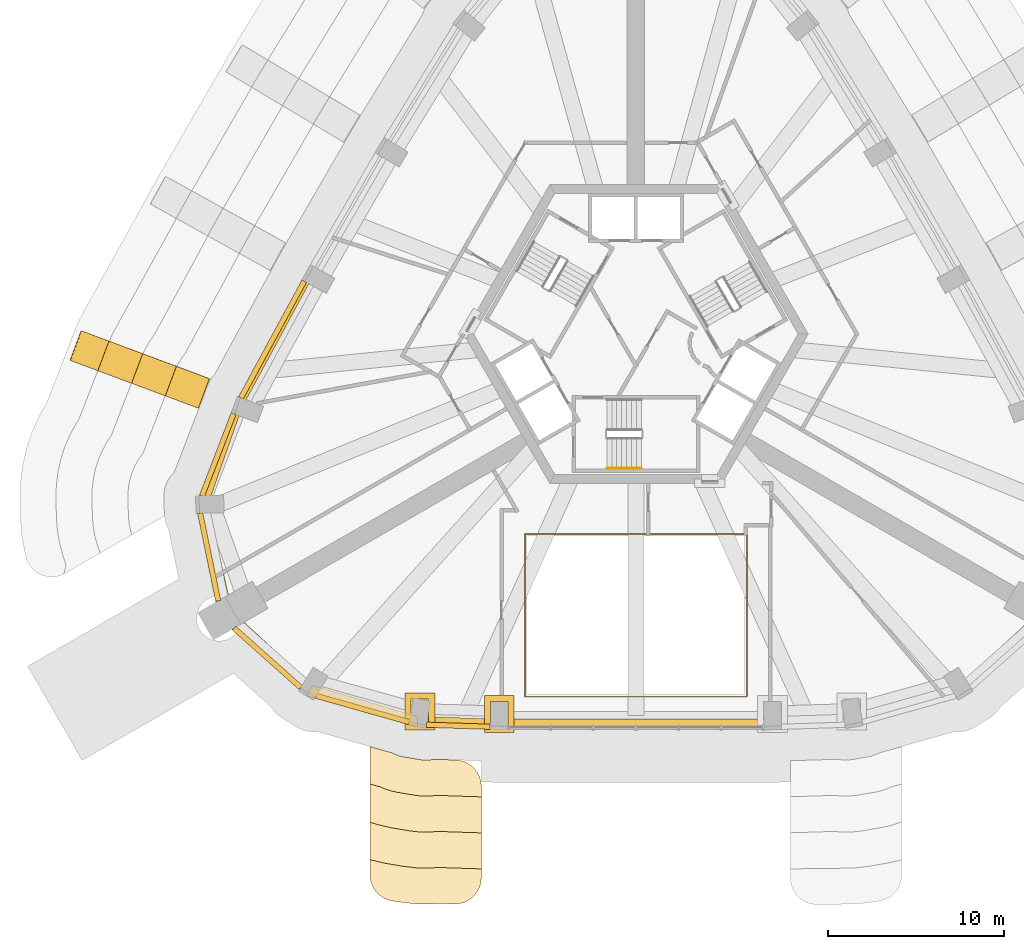
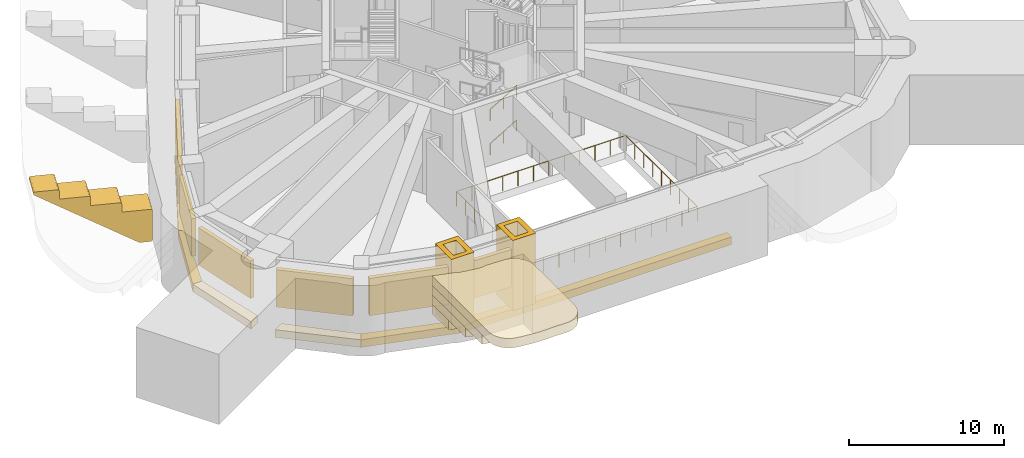
# One storey, part 10 of 15: 14 coverings, 6 shading devices, 3 railings.
"""IFC4 building model written with IfcOpenShell, lengths in metres."""

from ifc_helpers import new_model, si_unit, direction, frame, origin, origin_2d, place, context, subcontext, project, spatial, polyline, rectangle, circle, outline, extrude, material, layer, layer_set, type_object, element, save


model = new_model("IFC4")

# Units and contexts
model_context = context("Model", 3, precision=1e-05, world=origin(), true_north=direction((0.0, 1.0)))
body_context = subcontext(model_context, "Body", "Model", "MODEL_VIEW")
ifc_project = project(units=[si_unit("LENGTHUNIT", "METRE"), si_unit("AREAUNIT", "SQUARE_METRE"), si_unit("VOLUMEUNIT", "CUBIC_METRE"), si_unit("PLANEANGLEUNIT", "RADIAN"), si_unit("MASSUNIT", "GRAM", prefix="KILO")], contexts=[model_context])

# Site, building, storey
site_placement = place(None, origin())
site = spatial("IfcSite", under=ifc_project, at=site_placement, CompositionType="ELEMENT")
building_placement = place(site_placement, origin())
building = spatial("IfcBuilding", under=site, at=building_placement, Name="Entoto Arch Interchange Tower", CompositionType="ELEMENT")
storey_placement = place(building_placement, frame((0.0, 0.0, 326.0)))
storey = spatial("IfcBuildingStorey", under=building, at=storey_placement, Name="L77", CompositionType="ELEMENT", Elevation=326.0)

# Railing
ifc_material_1 = material(Name="Stainless steel 1.4301", Category="steel")
railing_type_1 = type_object("IfcRailingType", Name="ATRIUM GUARD 1200 STEEL AND GLASS", PredefinedType="GUARDRAIL", material=ifc_material_1)
railing_placement = place(storey_placement, frame((6.320068359375, -18.154052734375, 0.0)))
element("IfcRailing", 1, at=railing_placement, inside=storey, type_object=railing_type_1, Name="Atrium guard L77", PredefinedType="GUARDRAIL", context=body_context, shape_type="SweptSolid", body=[
    extrude(circle(Radius=0.02392578125, at=origin_2d()), frame((0.0, 0.0, 1.17578125), z_axis=(-1.0, 0.0, 0.0), x_axis=(0.0, -1.0, 0.0)), (0.0, 0.0, 1.0), 12.64013671875),
    extrude(circle(Radius=0.02392578125, at=origin_2d()), frame((-12.64013671875, 0.0, 1.17578125), z_axis=(0.0, 1.0, 0.0), x_axis=(-1.0, 0.0, 0.0)), (0.0, 0.0, 1.0), 9.274169921875),
    extrude(circle(Radius=0.02392578125, at=origin_2d()), frame((-12.64013671875, 9.274169921875, 1.17578125), z_axis=(1.0, 0.0, 0.0), x_axis=(0.0, 1.0, 0.0)), (0.0, 0.0, 1.0), 12.64013671875),
    extrude(circle(Radius=0.02392578125, at=origin_2d()), frame((0.0, 9.274169921875, 1.17578125), z_axis=(0.0, -1.0, 0.0), x_axis=(1.0, 0.0, 0.0)), (0.0, 0.0, 1.0), 9.274169921875),
    extrude(circle(Radius=0.02099609375, at=origin_2d()), origin(), (0.0, 0.0, 1.0), 1.15185546875),
    extrude(circle(Radius=0.02099609375, at=origin_2d()), frame((-1.149169921875, 0.0, 0.0)), (0.0, 0.0, 1.0), 1.15185546875),
    extrude(circle(Radius=0.02099609375, at=origin_2d()), frame((-2.298095703125, 0.0, 0.0)), (0.0, 0.0, 1.0), 1.15185546875),
    extrude(circle(Radius=0.02099609375, at=origin_2d()), frame((-3.447265625, 0.0, 0.0)), (0.0, 0.0, 1.0), 1.15185546875),
    extrude(circle(Radius=0.02099609375, at=origin_2d()), frame((-4.596435546875, 0.0, 0.0)), (0.0, 0.0, 1.0), 1.15185546875),
    extrude(circle(Radius=0.02099609375, at=origin_2d()), frame((-5.74560546875, 0.0, 0.0)), (0.0, 0.0, 1.0), 1.15185546875),
    extrude(circle(Radius=0.02099609375, at=origin_2d()), frame((-6.89453125, 0.0, 0.0)), (0.0, 0.0, 1.0), 1.15185546875),
    extrude(circle(Radius=0.02099609375, at=origin_2d()), frame((-8.043701171875, 0.0, 0.0)), (0.0, 0.0, 1.0), 1.15185546875),
    extrude(circle(Radius=0.02099609375, at=origin_2d()), frame((-9.19287109375, 0.0, 0.0)), (0.0, 0.0, 1.0), 1.15185546875),
    extrude(circle(Radius=0.02099609375, at=origin_2d()), frame((-10.342041015625, 0.0, 0.0)), (0.0, 0.0, 1.0), 1.15185546875),
    extrude(circle(Radius=0.02099609375, at=origin_2d()), frame((-11.490966796875, 0.0, 0.0)), (0.0, 0.0, 1.0), 1.15185546875),
    extrude(circle(Radius=0.02099609375, at=origin_2d()), frame((-12.64013671875, 0.0, 0.0)), (0.0, 0.0, 1.0), 1.15185546875),
    extrude(circle(Radius=0.02099609375, at=origin_2d()), frame((-12.64013671875, 1.1591796875, 0.0)), (0.0, 0.0, 1.0), 1.15185546875),
    extrude(circle(Radius=0.02099609375, at=origin_2d()), frame((-12.64013671875, 2.318603515625, 0.0)), (0.0, 0.0, 1.0), 1.15185546875),
    extrude(circle(Radius=0.02099609375, at=origin_2d()), frame((-12.64013671875, 3.477783203125, 0.0)), (0.0, 0.0, 1.0), 1.15185546875),
    extrude(circle(Radius=0.02099609375, at=origin_2d()), frame((-12.64013671875, 4.63720703125, 0.0)), (0.0, 0.0, 1.0), 1.15185546875),
    extrude(circle(Radius=0.02099609375, at=origin_2d()), frame((-12.64013671875, 5.79638671875, 0.0)), (0.0, 0.0, 1.0), 1.15185546875),
    extrude(circle(Radius=0.02099609375, at=origin_2d()), frame((-12.64013671875, 6.95556640625, 0.0)), (0.0, 0.0, 1.0), 1.15185546875),
    extrude(circle(Radius=0.02099609375, at=origin_2d()), frame((-12.64013671875, 8.114990234375, 0.0)), (0.0, 0.0, 1.0), 1.15185546875),
    extrude(circle(Radius=0.02099609375, at=origin_2d()), frame((-12.64013671875, 9.274169921875, 0.0)), (0.0, 0.0, 1.0), 1.15185546875),
    extrude(circle(Radius=0.02099609375, at=origin_2d()), frame((-11.490966796875, 9.274169921875, 0.0)), (0.0, 0.0, 1.0), 1.15185546875),
    extrude(circle(Radius=0.02099609375, at=origin_2d()), frame((-10.342041015625, 9.274169921875, 0.0)), (0.0, 0.0, 1.0), 1.15185546875),
    extrude(circle(Radius=0.02099609375, at=origin_2d()), frame((-9.19287109375, 9.274169921875, 0.0)), (0.0, 0.0, 1.0), 1.15185546875),
    extrude(circle(Radius=0.02099609375, at=origin_2d()), frame((-8.043701171875, 9.274169921875, 0.0)), (0.0, 0.0, 1.0), 1.15185546875),
    extrude(circle(Radius=0.02099609375, at=origin_2d()), frame((-6.89453125, 9.274169921875, 0.0)), (0.0, 0.0, 1.0), 1.15185546875),
    extrude(circle(Radius=0.02099609375, at=origin_2d()), frame((-5.74560546875, 9.274169921875, 0.0)), (0.0, 0.0, 1.0), 1.15185546875),
    extrude(circle(Radius=0.02099609375, at=origin_2d()), frame((-4.596435546875, 9.274169921875, 0.0)), (0.0, 0.0, 1.0), 1.15185546875),
    extrude(circle(Radius=0.02099609375, at=origin_2d()), frame((-3.447265625, 9.274169921875, 0.0)), (0.0, 0.0, 1.0), 1.15185546875),
    extrude(circle(Radius=0.02099609375, at=origin_2d()), frame((-2.298095703125, 9.274169921875, 0.0)), (0.0, 0.0, 1.0), 1.15185546875),
    extrude(circle(Radius=0.02099609375, at=origin_2d()), frame((-1.149169921875, 9.274169921875, 0.0)), (0.0, 0.0, 1.0), 1.15185546875),
    extrude(circle(Radius=0.02099609375, at=origin_2d()), frame((0.0, 9.274169921875, 0.0)), (0.0, 0.0, 1.0), 1.15185546875),
    extrude(circle(Radius=0.02099609375, at=origin_2d()), frame((0.0, 8.114990234375, 0.0)), (0.0, 0.0, 1.0), 1.15185546875),
    extrude(circle(Radius=0.02099609375, at=origin_2d()), frame((0.0, 6.95556640625, 0.0)), (0.0, 0.0, 1.0), 1.15185546875),
    extrude(circle(Radius=0.02099609375, at=origin_2d()), frame((0.0, 5.79638671875, 0.0)), (0.0, 0.0, 1.0), 1.15185546875),
    extrude(circle(Radius=0.02099609375, at=origin_2d()), frame((0.0, 4.63720703125, 0.0)), (0.0, 0.0, 1.0), 1.15185546875),
    extrude(circle(Radius=0.02099609375, at=origin_2d()), frame((0.0, 3.477783203125, 0.0)), (0.0, 0.0, 1.0), 1.15185546875),
    extrude(circle(Radius=0.02099609375, at=origin_2d()), frame((0.0, 2.318603515625, 0.0)), (0.0, 0.0, 1.0), 1.15185546875),
    extrude(circle(Radius=0.02099609375, at=origin_2d()), frame((0.0, 1.1591796875, 0.0)), (0.0, 0.0, 1.0), 1.15185546875),
])

# Shading devices
ifc_material_2 = material(Name="Aluminium, anodised", Category="aluminium")
ifc_layer = layer(ifc_material_2, 0.300048828125)
ifc_layer_set = layer_set([ifc_layer], Name="Aluminium, anodised")
shading_device_type = type_object("IfcShadingDeviceType", Name="PLANT LOUVRE ALUMINIUM", PredefinedType="JALOUSIE", material=ifc_layer_set)
shading_device_1_placement = place(storey_placement, frame((-10.10693359375, -19.81005859375, 1.2001953125), z_axis=(0.0, 0.0, 1.0), x_axis=(0.999496643061, -0.03172476177, 0.0)))
element("IfcShadingDevice", 2, at=shading_device_1_placement, inside=storey, type_object=shading_device_type, Name="Plant louvre S-01 L77", PredefinedType="JALOUSIE", context=body_context, shape_type="SweptSolid", body=[
    extrude(rectangle(XDim=3.625, YDim=0.300048828125, at=origin_2d()), origin(), (0.0, 0.0, 1.0), 2.949951171875),
])
shading_device_2_placement = place(storey_placement, frame((-20.68798828125, 2.18408203125, 1.2001953125), z_axis=(0.0, 0.0, 1.0), x_axis=(-0.476775258546, -0.879025228784, 0.0)))
element("IfcShadingDevice", 3, at=shading_device_2_placement, inside=storey, type_object=shading_device_type, Name="Plant louvre NW-03 L77", PredefinedType="JALOUSIE", context=body_context, shape_type="SweptSolid", body=[
    extrude(rectangle(XDim=7.552978515625, YDim=0.300048828125, at=origin_2d()), origin(), (0.0, 0.0, 1.0), 2.949951171875),
])
shading_device_3_placement = place(storey_placement, frame((-23.80810546875, -4.3759765625, 1.2001953125), z_axis=(0.0, 0.0, 1.0), x_axis=(-0.35963855315, -0.933091694898, 0.0)))
element("IfcShadingDevice", 4, at=shading_device_3_placement, inside=storey, type_object=shading_device_type, Name="Plant louvre SW-01 L77", PredefinedType="JALOUSIE", context=body_context, shape_type="SweptSolid", body=[
    extrude(rectangle(XDim=5.0, YDim=0.300048828125, at=origin_2d()), origin(), (0.0, 0.0, 1.0), 2.949951171875),
])
for number, where, z_axis, x_axis, name in (
    (5, (-24.297119140625, -10.200927734375, 1.2001953125), (0.0, 0.0, 1.0), (0.201402749538, -0.979508515776, 0.0), "Plant louvre SW-02 L77"),
    (6, (-20.98388671875, -15.94091796875, 1.2001953125), (0.0, 0.0, 1.0), (0.747543106014, -0.664213297556, 0.0), "Plant louvre SW-03 L77"),
):
    element("IfcShadingDevice", number, at=place(storey_placement, frame(where, z_axis=z_axis, x_axis=x_axis)), inside=storey, type_object=shading_device_type, Name=name, PredefinedType="JALOUSIE", context=body_context, shape_type="SweptSolid", body=[
        extrude(rectangle(XDim=5.089111328125, YDim=0.300048828125, at=origin_2d()), origin(), (0.0, 0.0, 1.0), 2.949951171875),
    ])
shading_device_4_placement = place(storey_placement, frame((-15.553955078125, -18.85400390625, 1.2001953125), z_axis=(0.0, 0.0, 1.0), x_axis=(0.962388882309, -0.271675613938, 0.0)))
element("IfcShadingDevice", 7, at=shading_device_4_placement, inside=storey, type_object=shading_device_type, Name="Plant louvre SW-04 L77", PredefinedType="JALOUSIE", context=body_context, shape_type="SweptSolid", body=[
    extrude(rectangle(XDim=5.5029296875, YDim=0.300048828125, at=origin_2d()), origin(), (0.0, 0.0, 1.0), 2.949951171875),
])

# Coverings
ifc_material_3 = material(Name="Board-marked precast concrete C50/60", Category="concrete")
covering_type_1 = type_object("IfcCoveringType", Name="PRECAST FRAME COURSE", PredefinedType="CLADDING", material=ifc_material_3)
covering_1_placement = place(storey_placement, frame((0.0, 0.0, 4.199951171875)))
element("IfcCovering", 8, at=covering_1_placement, inside=storey, type_object=covering_type_1, Name="Cantilever cornice L77 1", PredefinedType="CLADDING", context=body_context, shape_type="SweptSolid", body=[
    extrude(outline(polyline([(-9.69091796875, -21.887939453125), (-9.56298828125, -21.952880859375), (-9.44091796875, -22.029052734375), (-9.326904296875, -22.117919921875), (-9.221923828125, -22.216064453125), (-9.126953125, -22.323974609375), (-9.0419921875, -22.44091796875), (-8.969970703125, -22.56591796875), (-8.908935546875, -22.697021484375), (-8.862060546875, -22.8330078125), (-8.827880859375, -22.972900390625), (-8.806884765625, -23.114990234375), (-8.800048828125, -23.259033203125), (-8.800048828125, -28.4619140625), (-8.80810546875, -28.612060546875), (-8.830078125, -28.760986328125), (-8.866943359375, -28.906005859375), (-8.9189453125, -29.048095703125), (-8.985107421875, -29.18310546875), (-9.06298828125, -29.31103515625), (-9.155029296875, -29.429931640625), (-9.257080078125, -29.5400390625), (-9.3701171875, -29.638916015625), (-9.492919921875, -29.72607421875), (-9.6240234375, -29.801025390625), (-9.760986328125, -29.862060546875), (-9.904052734375, -29.908935546875), (-10.051025390625, -29.94091796875), (-10.199951171875, -29.958984375), (-10.35009765625, -29.9609375), (-10.672119140625, -29.949951171875), (-11.18798828125, -29.93310546875), (-11.22900390625, -29.931884765625), (-11.27001953125, -29.93505859375), (-11.361083984375, -29.94189453125), (-11.60595703125, -29.9609375), (-11.7529296875, -29.965087890625), (-12.5869140625, -29.947021484375), (-12.73388671875, -29.93603515625), (-13.010009765625, -29.903076171875), (-13.59912109375, -29.83203125), (-13.6708984375, -29.822021484375), (-13.889892578125, -29.783935546875), (-14.037109375, -29.751953125), (-14.178955078125, -29.705078125), (-14.31591796875, -29.64404296875), (-14.447021484375, -29.569091796875), (-14.569091796875, -29.48193359375), (-14.681884765625, -29.383056640625), (-14.783935546875, -29.27294921875), (-14.875, -29.154052734375), (-14.9541015625, -29.02587890625), (-15.01904296875, -28.89111328125), (-15.071044921875, -28.75), (-15.10791015625, -28.60400390625), (-15.1298828125, -28.4560546875), (-15.137939453125, -28.305908203125), (-15.137939453125, -21.033935546875), (-15.137939453125, -20.9970703125), (-13.823974609375, -21.367919921875), (-13.7451171875, -21.412109375), (-13.583984375, -21.48291015625), (-13.416015625, -21.5380859375), (-13.242919921875, -21.575927734375), (-12.258056640625, -21.743896484375), (-12.08203125, -21.76611328125), (-11.906005859375, -21.76904296875), (-11.72900390625, -21.756103515625), (-11.554931640625, -21.72509765625), (-11.527099609375, -21.717041015625), (-10.25, -21.760009765625), (-10.10595703125, -21.77197265625), (-9.964111328125, -21.797119140625), (-9.825927734375, -21.8359375), (-9.69091796875, -21.887939453125)])), origin(), (0.0, 0.0, 1.0), 0.75),
])
covering_2_placement = place(storey_placement, frame((0.0, 0.0, 3.449951171875)))
element("IfcCovering", 9, at=covering_2_placement, inside=storey, type_object=covering_type_1, Name="Cantilever cornice L77 2", PredefinedType="CLADDING", context=body_context, shape_type="SweptSolid", body=[
    extrude(outline(polyline([(-9.69091796875, -21.887939453125), (-9.56298828125, -21.952880859375), (-9.44091796875, -22.029052734375), (-9.326904296875, -22.117919921875), (-9.221923828125, -22.216064453125), (-9.126953125, -22.323974609375), (-9.0419921875, -22.44091796875), (-8.969970703125, -22.56591796875), (-8.908935546875, -22.697021484375), (-8.862060546875, -22.8330078125), (-8.827880859375, -22.972900390625), (-8.806884765625, -23.114990234375), (-8.800048828125, -23.259033203125), (-8.800048828125, -27.9619140625), (-11.2509765625, -27.8798828125), (-11.736083984375, -27.9169921875), (-12.51611328125, -27.89990234375), (-13.291015625, -27.806884765625), (-14.277099609375, -27.638916015625), (-15.137939453125, -27.43994140625), (-15.137939453125, -21.033935546875), (-15.137939453125, -20.9970703125), (-13.823974609375, -21.367919921875), (-13.7451171875, -21.412109375), (-13.583984375, -21.48291015625), (-13.416015625, -21.5380859375), (-13.242919921875, -21.575927734375), (-12.258056640625, -21.743896484375), (-12.08203125, -21.76611328125), (-11.906005859375, -21.76904296875), (-11.72900390625, -21.756103515625), (-11.554931640625, -21.72509765625), (-11.527099609375, -21.717041015625), (-10.25, -21.760009765625), (-10.10595703125, -21.77197265625), (-9.964111328125, -21.797119140625), (-9.825927734375, -21.8359375), (-9.69091796875, -21.887939453125)])), origin(), (0.0, 0.0, 1.0), 0.75),
])
covering_3_placement = place(storey_placement, frame((0.0, 0.0, 2.699951171875)))
element("IfcCovering", 10, at=covering_3_placement, inside=storey, type_object=covering_type_1, Name="Cantilever cornice L77 3", PredefinedType="CLADDING", context=body_context, shape_type="SweptSolid", body=[
    extrude(outline(polyline([(-9.69091796875, -21.887939453125), (-9.56298828125, -21.952880859375), (-9.44091796875, -22.029052734375), (-9.326904296875, -22.117919921875), (-9.221923828125, -22.216064453125), (-9.126953125, -22.323974609375), (-9.0419921875, -22.44091796875), (-8.969970703125, -22.56591796875), (-8.908935546875, -22.697021484375), (-8.862060546875, -22.8330078125), (-8.827880859375, -22.972900390625), (-8.806884765625, -23.114990234375), (-8.800048828125, -23.259033203125), (-8.800048828125, -25.910888671875), (-11.27294921875, -25.827880859375), (-11.79296875, -25.867919921875), (-12.3720703125, -25.85498046875), (-12.946044921875, -25.785888671875), (-13.931884765625, -25.617919921875), (-14.597900390625, -25.465087890625), (-15.137939453125, -25.306884765625), (-15.137939453125, -21.033935546875), (-15.137939453125, -20.9970703125), (-13.823974609375, -21.367919921875), (-13.7451171875, -21.412109375), (-13.583984375, -21.48291015625), (-13.416015625, -21.5380859375), (-13.242919921875, -21.575927734375), (-12.258056640625, -21.743896484375), (-12.08203125, -21.76611328125), (-11.906005859375, -21.76904296875), (-11.72900390625, -21.756103515625), (-11.554931640625, -21.72509765625), (-11.527099609375, -21.717041015625), (-10.25, -21.760009765625), (-10.10595703125, -21.77197265625), (-9.964111328125, -21.797119140625), (-9.825927734375, -21.8359375), (-9.69091796875, -21.887939453125)])), origin(), (0.0, 0.0, 1.0), 0.75),
])
covering_4_placement = place(storey_placement, frame((0.0, 0.0, 1.949951171875)))
element("IfcCovering", 11, at=covering_4_placement, inside=storey, type_object=covering_type_1, Name="Cantilever cornice L77 4", PredefinedType="CLADDING", context=body_context, shape_type="SweptSolid", body=[
    extrude(outline(polyline([(-9.69091796875, -21.887939453125), (-9.56298828125, -21.952880859375), (-9.44091796875, -22.029052734375), (-9.326904296875, -22.117919921875), (-9.221923828125, -22.216064453125), (-9.126953125, -22.323974609375), (-9.0419921875, -22.44091796875), (-8.969970703125, -22.56591796875), (-8.908935546875, -22.697021484375), (-8.862060546875, -22.8330078125), (-8.827880859375, -22.972900390625), (-8.806884765625, -23.114990234375), (-8.800048828125, -23.259033203125), (-8.800048828125, -23.860107421875), (-11.37890625, -23.77294921875), (-11.471923828125, -23.7900390625), (-11.84912109375, -23.819091796875), (-12.22705078125, -23.81005859375), (-12.60205078125, -23.764892578125), (-13.587890625, -23.596923828125), (-13.95703125, -23.51611328125), (-14.31591796875, -23.39794921875), (-14.56298828125, -23.2890625), (-15.137939453125, -23.126953125), (-15.137939453125, -21.033935546875), (-15.137939453125, -20.9970703125), (-13.823974609375, -21.367919921875), (-13.7451171875, -21.412109375), (-13.583984375, -21.48291015625), (-13.416015625, -21.5380859375), (-13.242919921875, -21.575927734375), (-12.258056640625, -21.743896484375), (-12.08203125, -21.76611328125), (-11.906005859375, -21.76904296875), (-11.72900390625, -21.756103515625), (-11.554931640625, -21.72509765625), (-11.527099609375, -21.717041015625), (-10.25, -21.760009765625), (-10.10595703125, -21.77197265625), (-9.964111328125, -21.797119140625), (-9.825927734375, -21.8359375), (-9.69091796875, -21.887939453125)])), origin(), (0.0, 0.0, 1.0), 0.75),
])
covering_5_placement = place(storey_placement, frame((-25.113037109375, 0.27587890625, -0.574951171875), z_axis=(0.350713346953, 0.936478244466, 0.002940393161), x_axis=(0.844548405653, -0.314925593774, -0.433081817783)))
element("IfcCovering", 12, at=covering_5_placement, inside=storey, type_object=covering_type_1, Name="Fold rib NW04 L77", PredefinedType="CLADDING", context=body_context, shape_type="SweptSolid", body=[
    extrude(outline(polyline([(0.0, 0.0), (0.043970336496954074, -3.469446951953614e-18), (0.08511863854577736, -0.012999211956877792), (0.7015197850910768, -0.3102518786678993), (0.7357666041369988, -0.3378124819386707), (0.7592819131675498, -0.37484232169122417), (0.7721795384042042, -0.41760676744901004), (0.7724423877737077, -0.46106844327508034), (0.7592816313430658, -0.5035017719727333), (-0.21570456829288776, -2.5312955805881736), (-0.2405831736850248, -2.5680967248340303), (-0.2620034314745914, -2.5878695329791603), (-0.28768966300646204, -2.6020714470282025), (-0.32951587619066636, -2.61529115344504), (-0.37431096699001654, -2.61489599163316), (-0.4151473475975711, -2.6017755140215066), (-2.100731035152352, -1.7918833942683166), (-2.368106543328538, -2.3457159116773347), (-2.3854276149055416, -2.369625273818235), (-2.4198325258144893, -2.396430799660061), (-2.4609704802567665, -2.4132322558043238), (-2.504469300898873, -2.417793020415702), (-2.5329668058624595, -2.413037867646636), (-2.5610996178273755, -2.4027724225381815), (-4.273648678908608, -1.5799222220258409), (-4.540199432782398, -2.1341499012467393), (-4.558551447237397, -2.1575653111227897), (-4.59192541526835, -2.184864789229466), (-4.6330633697106265, -2.2016662453737283), (-4.6773869446551295, -2.2058318481732266), (-4.706090638194315, -2.200977904951191), (-4.733398695856835, -2.191107621654616), (-6.445741568362468, -1.3683562115952457), (-6.713117076538655, -1.9221887290042639), (-6.730644336691258, -1.9459993006921938), (-6.7650492476002055, -1.97280482653402), (-6.805981013466884, -1.9897050731312529), (-6.849686022684589, -1.9941670472896607), (-6.878183527648176, -1.989411894520595), (-6.906316339613092, -1.9791464494121405), (-8.167342246306697, -1.3732459031869721), (-8.191906526617547, -1.3581930637574717), (-8.223031315050719, -1.3264441322386005), (-8.238077647221155, -1.3016104719675337), (-8.250975272457811, -1.2588460262097483), (-8.251379704792658, -1.2296678382291653), (-8.2470530146766, -1.2008690985659967), (-8.236829679631597, -1.1724659590669222), (-8.221465661184556, -1.1476155204915446), (-8.201579525062273, -1.1260214114809548), (-8.177829238037404, -1.1087228103235898), (-8.150479582393944, -1.0964032993902983), (-8.121561136197828, -1.0902539988728366), (0.0, 0.0)])), origin(), (0.0, 0.0, -1.0), 1.800048828125),
])
covering_6_placement = place(storey_placement, frame((0.0, 0.0, -0.60009765625)))
element("IfcCovering", 13, at=covering_6_placement, inside=storey, type_object=covering_type_1, Name="Gate pier L77", PredefinedType="CLADDING", context=body_context, shape_type="SweptSolid", body=[
    extrude(outline(polyline([(-13.14697265625, -17.948974609375), (-11.447021484375, -17.948974609375), (-11.447021484375, -20.049072265625), (-13.14697265625, -20.049072265625), (-13.14697265625, -17.948974609375)]), holes=[polyline([(-12.797119140625, -18.299072265625), (-12.797119140625, -19.698974609375), (-11.797119140625, -19.698974609375), (-11.797119140625, -18.299072265625), (-12.797119140625, -18.299072265625)])]), origin(), (0.0, 0.0, 1.0), 5.550048828125),
])
covering_7_placement = place(storey_placement, frame((0.0, 0.0, -0.60009765625)))
element("IfcCovering", 14, at=covering_7_placement, inside=storey, type_object=covering_type_1, Name="Gate pier L77", PredefinedType="CLADDING", context=body_context, shape_type="SweptSolid", body=[
    extrude(outline(polyline([(-8.632080078125, -18.083984375), (-6.931884765625, -18.083984375), (-6.931884765625, -20.18408203125), (-8.632080078125, -20.18408203125), (-8.632080078125, -18.083984375)]), holes=[polyline([(-8.281982421875, -18.43408203125), (-8.281982421875, -19.833984375), (-7.281982421875, -19.833984375), (-7.281982421875, -18.43408203125), (-8.281982421875, -18.43408203125)])]), origin(), (0.0, 0.0, 1.0), 5.550048828125),
])
covering_type_2 = type_object("IfcCoveringType", Name="PRECAST LEDGE COURSE", PredefinedType="CLADDING", material=ifc_material_3)
covering_8_placement = place(storey_placement, frame((0.0, 0.0, -1.199951171875)))
element("IfcCovering", 15, at=covering_8_placement, inside=storey, type_object=covering_type_2, Name="Precast course S-01 L77", PredefinedType="CLADDING", context=body_context, shape_type="SweptSolid", body=[
    extrude(outline(polyline([(-7.800048828125, -19.427978515625), (-7.800048828125, -20.033935546875), (-12.447998046875, -19.885986328125), (-12.447998046875, -19.27197265625), (-7.800048828125, -19.427978515625)])), origin(), (0.0, 0.0, 1.0), 0.599853515625),
])
covering_9_placement = place(storey_placement, frame((0.0, 0.0, -1.199951171875)))
element("IfcCovering", 16, at=covering_9_placement, inside=storey, type_object=covering_type_2, Name="Precast course S-02 L77", PredefinedType="CLADDING", context=body_context, shape_type="SweptSolid", body=[
    extrude(outline(polyline([(7.800048828125, -19.427978515625), (7.800048828125, -20.033935546875), (-7.800048828125, -20.033935546875), (-7.800048828125, -19.427978515625), (7.800048828125, -19.427978515625)])), origin(), (0.0, 0.0, 1.0), 0.599853515625),
])
covering_10_placement = place(storey_placement, frame((0.0, 0.0, -1.199951171875)))
element("IfcCovering", 17, at=covering_10_placement, inside=storey, type_object=covering_type_2, Name="Precast course NW-03 L77", PredefinedType="CLADDING", context=body_context, shape_type="SweptSolid", body=[
    extrude(outline(polyline([(-22.43310546875, -1.68798828125), (-22.8701171875, -1.52490234375), (-18.780029296875, 6.01611328125), (-18.385986328125, 5.797119140625), (-22.43310546875, -1.68798828125)])), origin(), (0.0, 0.0, 1.0), 0.599853515625),
])
covering_11_placement = place(storey_placement, frame((0.0, 0.0, -1.199951171875)))
element("IfcCovering", 18, at=covering_11_placement, inside=storey, type_object=covering_type_2, Name="Precast course SW-01 L77", PredefinedType="CLADDING", context=body_context, shape_type="SweptSolid", body=[
    extrude(outline(polyline([(-24.365966796875, -7.198974609375), (-25.06396484375, -7.216064453125), (-22.8701171875, -1.52490234375), (-22.43310546875, -1.68798828125), (-24.365966796875, -7.198974609375)])), origin(), (0.0, 0.0, 1.0), 0.599853515625),
])
covering_12_placement = place(storey_placement, frame((0.0, 0.0, -1.199951171875)))
element("IfcCovering", 19, at=covering_12_placement, inside=storey, type_object=covering_type_2, Name="Precast course SW-02 L77", PredefinedType="CLADDING", context=body_context, shape_type="SweptSolid", body=[
    extrude(outline(polyline([(-23.202880859375, -12.35693359375), (-23.922119140625, -12.77197265625), (-25.06396484375, -7.216064453125), (-24.365966796875, -7.198974609375), (-23.202880859375, -12.35693359375)])), origin(), (0.0, 0.0, 1.0), 0.599853515625),
])
covering_13_placement = place(storey_placement, frame((0.0, 0.0, -1.199951171875)))
element("IfcCovering", 20, at=covering_13_placement, inside=storey, type_object=covering_type_2, Name="Precast course SW-03 L77", PredefinedType="CLADDING", context=body_context, shape_type="SweptSolid", body=[
    extrude(outline(polyline([(-18.41796875, -17.501953125), (-18.781982421875, -18.097900390625), (-23.02197265625, -14.3310546875), (-22.302978515625, -13.916015625), (-18.41796875, -17.501953125)])), origin(), (0.0, 0.0, 1.0), 0.599853515625),
])
covering_14_placement = place(storey_placement, frame((0.0, 0.0, -1.199951171875)))
element("IfcCovering", 21, at=covering_14_placement, inside=storey, type_object=covering_type_2, Name="Precast course SW-04 L77", PredefinedType="CLADDING", context=body_context, shape_type="SweptSolid", body=[
    extrude(outline(polyline([(-12.447998046875, -19.27197265625), (-12.447998046875, -19.885986328125), (-18.781982421875, -18.097900390625), (-18.41796875, -17.501953125), (-12.447998046875, -19.27197265625)])), origin(), (0.0, 0.0, 1.0), 0.599853515625),
])

# Railings
railing_type_2 = type_object("IfcRailingType", Name="STAIR HANDRAIL 900 STEEL", PredefinedType="HANDRAIL", material=ifc_material_1)
for number, where, name in (
    (22, (-1.64990234375, -5.14990234375, 0.168701171875), "L77 ST-S stair handrail 1"),
    (23, (-1.64990234375, -5.14990234375, 2.86865234375), "L77 ST-S stair handrail 3"),
):
    element("IfcRailing", number, at=place(storey_placement, frame(where)), inside=storey, type_object=railing_type_2, Name=name, PredefinedType="HANDRAIL", context=body_context, shape_type="SweptSolid", body=[
        extrude(circle(Radius=0.02392578125, at=origin_2d()), frame((0.0, 0.0, 0.8759765625), z_axis=(0.856446297458, 0.0, 0.516236127728), x_axis=(0.0, 1.0, 0.0)), (0.0, 0.0, 1.0), 2.28857421875),
        extrude(circle(Radius=0.02099609375, at=origin_2d()), origin(), (0.0, 0.0, 1.0), 0.851806640625),
        extrude(circle(Radius=0.02099609375, at=origin_2d()), frame((0.97998046875, 0.0, 0.5908203125)), (0.0, 0.0, 1.0), 0.851806640625),
        extrude(circle(Radius=0.02099609375, at=origin_2d()), frame((1.9599609375, 0.0, 1.181396484375)), (0.0, 0.0, 1.0), 0.851806640625),
    ])

save(model, "model.ifc")
